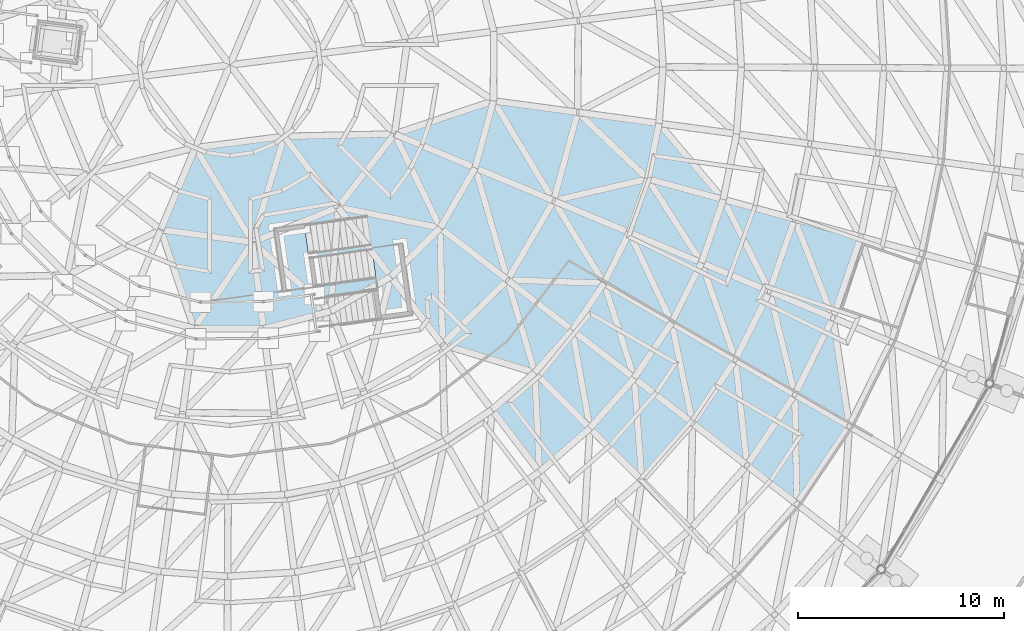
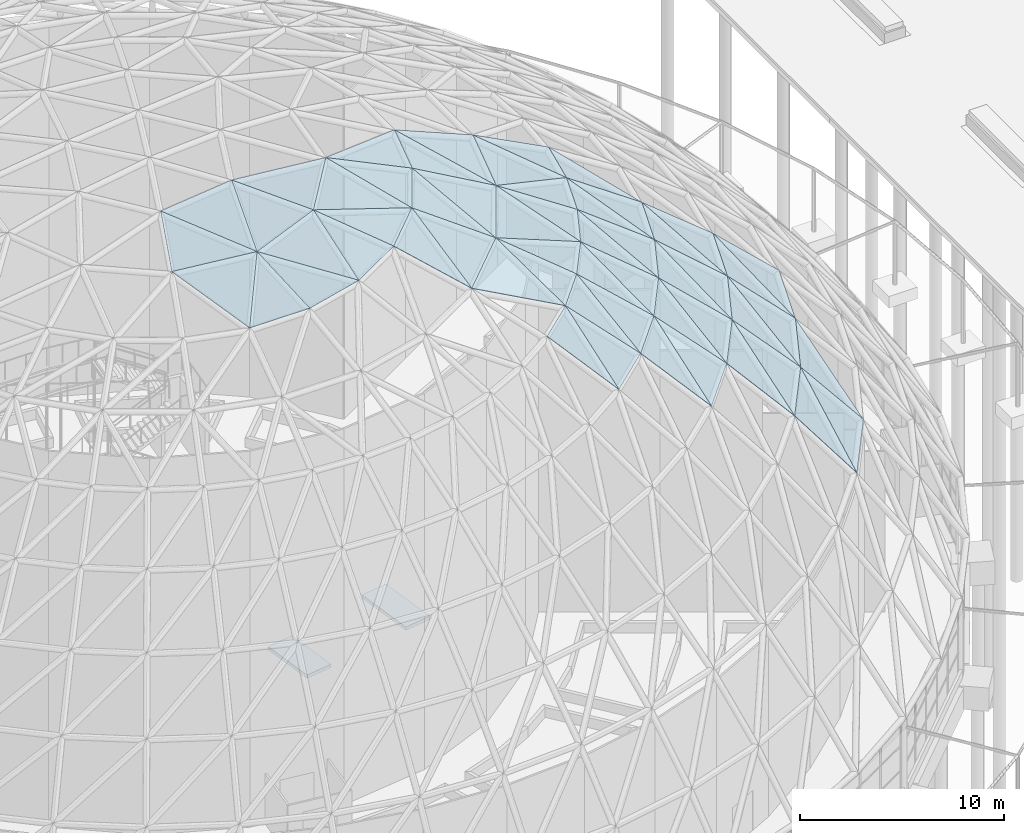
# One storey, part 148 of 226: 55 plates, 2 slabs, 1 element without a shape of its own.
"""IFC4 building model written with IfcOpenShell, lengths in metres."""

import ifcopenshell
import ifcopenshell.guid

model = None  # the IFC model being written
_history = None  # IfcOwnerHistory: only IFC2X3 demands one
_inside = {}  # id of a spatial element -> (the spatial element, [elements in it])
_under = {}  # id of a project, library or spatial element -> (it, [spatial elements below it])
_declared = {}  # id of a project -> (the project, [libraries it declares])
_typed = {}  # id of a type object -> (the type object, [elements of that type])
_made_of = {}  # id of a material, layer set ... -> (it, [elements and type objects made of it])


def new_model(schema):
    """Start an empty IFC model of exactly this schema.

    Asked for "IFC4X3", IfcOpenShell would pick the latest addendum, in which some entities
    have other attributes; the version numbers below select the first issue.
    IFC2X3 requires an IfcOwnerHistory on every rooted entity: one is made here for all.
    """
    global model, _history
    if schema == "IFC4X3":
        model = ifcopenshell.file(schema_version=(4, 3, 0, 0))
    else:
        model = ifcopenshell.file(schema=schema)
    _inside.clear()
    _under.clear()
    _declared.clear()
    _typed.clear()
    _made_of.clear()
    _history = None
    if model.schema == "IFC2X3":
        org = make("IfcOrganization", Name="unknown")
        user = make(
            "IfcPersonAndOrganization",
            ThePerson=make("IfcPerson", FamilyName="unknown"),
            TheOrganization=org,
        )
        app = make(
            "IfcApplication",
            ApplicationDeveloper=org,
            Version="unknown",
            ApplicationFullName="unknown",
            ApplicationIdentifier="unknown",
        )
        _history = make(
            "IfcOwnerHistory",
            OwningUser=user,
            OwningApplication=app,
            ChangeAction="ADDED",
            CreationDate=0,
        )
    return model


def make(cls, **values):
    """One entity of the class cls with the attributes given. An attribute that is None is left unset."""
    return model.create_entity(
        cls, **{name: value for name, value in values.items() if value is not None}
    )


def rooted(cls, **values):
    """An entity with a GlobalId (a new one), such as an element, a storey or a relation."""
    return make(cls, GlobalId=ifcopenshell.guid.new(), OwnerHistory=_history, **values)


def si_unit(unit_type, name, prefix=None):
    """IfcSIUnit, for example si_unit("LENGTHUNIT", "METRE", prefix="MILLI")."""
    return make("IfcSIUnit", UnitType=unit_type, Prefix=prefix, Name=name)


def assignment(units):
    """IfcUnitAssignment: the units of a project."""
    return None if units is None else make("IfcUnitAssignment", Units=units)


def point(xyz):
    """IfcCartesianPoint."""
    return None if xyz is None else make("IfcCartesianPoint", Coordinates=xyz)


def direction(xyz):
    """IfcDirection."""
    return None if xyz is None else make("IfcDirection", DirectionRatios=xyz)


def frame(location, z_axis=None, x_axis=None):
    """IfcAxis2Placement3D, a coordinate frame: its origin and axes. An axis left out is left unset."""
    return make(
        "IfcAxis2Placement3D",
        Location=point(location),
        Axis=direction(z_axis),
        RefDirection=direction(x_axis),
    )


def origin():
    """The frame at (0, 0, 0) with its axes left unset."""
    return frame((0.0, 0.0, 0.0))


def place(relative_to, where):
    """IfcLocalPlacement: puts the frame where relative to a parent placement (None: the world)."""
    return make(
        "IfcLocalPlacement", PlacementRelTo=relative_to, RelativePlacement=where
    )


def context(
    kind, dimensions, precision=None, world=None, true_north=None, identifier=None
):
    """IfcGeometricRepresentationContext, for example the 3D "Model" context."""
    return make(
        "IfcGeometricRepresentationContext",
        ContextIdentifier=identifier,
        ContextType=kind,
        CoordinateSpaceDimension=dimensions,
        Precision=precision,
        WorldCoordinateSystem=world,
        TrueNorth=true_north,
    )


def subcontext(parent, identifier, kind, view, scale=None):
    """IfcGeometricRepresentationSubContext, for example "Body" below "Model"."""
    return make(
        "IfcGeometricRepresentationSubContext",
        ContextIdentifier=identifier,
        ContextType=kind,
        ParentContext=parent,
        TargetScale=scale,
        TargetView=view,
    )


def project(units=None, contexts=None):
    """IfcProject with its units and contexts."""
    return rooted(
        "IfcProject",
        Name="project",
        RepresentationContexts=contexts,
        UnitsInContext=assignment(units),
    )


def spatial(cls, under=None, at=None, **own):
    """A site, building, storey or space (cls), placed at a placement, below another one or the project."""
    s = rooted(cls, ObjectPlacement=at, **own)
    if under is not None:
        _under.setdefault(under.id(), (under, []))[1].append(s)
    return s


def polyline(points):
    """IfcPolyline through the points."""
    return make("IfcPolyline", Points=[point(p) for p in points])


def outline(outer, holes=None, kind="AREA"):
    """IfcArbitraryClosedProfileDef: a profile drawn as a closed curve; with holes, ...WithVoids."""
    if holes is None:
        return make("IfcArbitraryClosedProfileDef", ProfileType=kind, OuterCurve=outer)
    return make(
        "IfcArbitraryProfileDefWithVoids",
        ProfileType=kind,
        OuterCurve=outer,
        InnerCurves=holes,
    )


def extrude(swept, where, along, depth):
    """IfcExtrudedAreaSolid: the profile swept, set in the frame where, extruded along a direction by depth."""
    return make(
        "IfcExtrudedAreaSolid",
        SweptArea=swept,
        Position=where,
        ExtrudedDirection=direction(along),
        Depth=depth,
    )


def shape(context_of_items, identifier, shape_type, items):
    """IfcShapeRepresentation: the items that make up one representation, for example the "Body"."""
    return make(
        "IfcShapeRepresentation",
        ContextOfItems=context_of_items,
        RepresentationIdentifier=identifier,
        RepresentationType=shape_type,
        Items=items,
    )


def material(Name=None, Category=None):
    """IfcMaterial."""
    return make("IfcMaterial", Name=Name, Category=Category)


def layer(
    of_material, thickness, ventilated=None, Name=None, Category=None, Priority=None
):
    """IfcMaterialLayer: one layer of a wall or slab, of a material (None: an air gap)."""
    return make(
        "IfcMaterialLayer",
        Material=of_material,
        LayerThickness=thickness,
        IsVentilated=ventilated,
        Name=Name,
        Category=Category,
        Priority=Priority,
    )


def layer_set(layers, Name=None):
    """IfcMaterialLayerSet."""
    return make("IfcMaterialLayerSet", MaterialLayers=layers, LayerSetName=Name)


def made_of(thing, what):
    """Note that an element or type object is made of a material, layer set ...; save() writes the relation."""
    if what is not None:
        _made_of.setdefault(what.id(), (what, []))[1].append(thing)
    return thing


def type_object(cls, material=None, **own):
    """A type object (cls), such as IfcWallType, which elements share."""
    return made_of(rooted(cls, **own), material)


def element(
    cls,
    number,
    at=None,
    inside=None,
    cuts=None,
    type_object=None,
    material=None,
    context=None,
    identifier="Body",
    shape_type=None,
    held_by="IfcProductDefinitionShape",
    body=None,
    shapes=None,
    **own,
):
    """One element of the class cls, such as IfcWall. Its Tag is "e" and its number.

    at: its placement. inside: the storey or other place that contains it. cuts: it is an
    opening in that element (IfcRelVoidsElement). A single representation is given by context,
    identifier, shape_type and body (its items); several are given by shapes. held_by: the class
    of the entity that holds the representations. save() writes the other relations.
    """
    e = rooted(cls, Tag="e%d" % number, ObjectPlacement=at, **own)
    if body is not None:
        shapes = [shape(context, identifier, shape_type, body)]
    if shapes is not None:
        e.Representation = make(held_by, Representations=shapes)
    if inside is not None:
        _inside.setdefault(inside.id(), (inside, []))[1].append(e)
    if cuts is not None:
        rooted(
            "IfcRelVoidsElement", RelatingBuildingElement=cuts, RelatedOpeningElement=e
        )
    if type_object is not None:
        _typed.setdefault(type_object.id(), (type_object, []))[1].append(e)
    return made_of(e, material)


def aggregate(whole, parts):
    """IfcRelAggregates: a whole, such as a stair, and the parts it consists of."""
    return rooted("IfcRelAggregates", RelatingObject=whole, RelatedObjects=parts)


def save(model, path):
    """Write the relations noted so far, then the file.

    IfcRelAggregates (storeys below a building ...), IfcRelContainedInSpatialStructure (elements
    in a storey), IfcRelDefinesByType, IfcRelAssociatesMaterial and IfcRelDeclares: one each for
    every whole, place, type object, material and project.
    """
    for whole, parts in _under.values():
        aggregate(whole, parts)
    for where, things in _inside.values():
        rooted(
            "IfcRelContainedInSpatialStructure",
            RelatedElements=things,
            RelatingStructure=where,
        )
    for kind, things in _typed.values():
        rooted("IfcRelDefinesByType", RelatedObjects=things, RelatingType=kind)
    for what, things in _made_of.values():
        rooted("IfcRelAssociatesMaterial", RelatedObjects=things, RelatingMaterial=what)
    for by, libraries in _declared.values():
        rooted("IfcRelDeclares", RelatingContext=by, RelatedDefinitions=libraries)
    model.write(path)


model = new_model("IFC4")

# Units and contexts
model_context = context("Model", 3, precision=1e-05, world=origin(), true_north=direction((0.0, 1.0)))
body_context = subcontext(model_context, "Body", "Model", "MODEL_VIEW")
ifc_project = project(units=[si_unit("LENGTHUNIT", "METRE"), si_unit("AREAUNIT", "SQUARE_METRE"), si_unit("VOLUMEUNIT", "CUBIC_METRE"), si_unit("PLANEANGLEUNIT", "RADIAN"), si_unit("MASSUNIT", "GRAM", prefix="KILO")], contexts=[model_context])

# Site, building, storey
site_placement = place(None, origin())
site = spatial("IfcSite", under=ifc_project, at=site_placement, CompositionType="ELEMENT")
building_placement = place(site_placement, origin())
building = spatial("IfcBuilding", under=site, at=building_placement, Name="Ceibo Conservatory and Research Tower", CompositionType="ELEMENT")
storey_placement = place(building_placement, origin())
storey = spatial("IfcBuildingStorey", under=building, at=storey_placement, Name="L00", CompositionType="ELEMENT", Elevation=0.0)

# Plates
ifc_material_1 = material(Name="Laminated glass", Category="glass")
ifc_layer_1 = layer(ifc_material_1, 0.035888671875)
ifc_layer_set_1 = layer_set([ifc_layer_1], Name="Laminated glass")
plate_type = type_object("IfcPlateType", Name="Gridshell roof glass 36", PredefinedType="SHEET", material=ifc_layer_set_1)
plate_1_placement = place(storey_placement, frame((183.63525390625, 86.602783203125, 11.6201171875), z_axis=(0.590588353346, -0.398417911244, 0.701761045436), x_axis=(0.559251787765, 0.828997851554, 0.0)))
element("IfcPlate", 1, at=plate_1_placement, inside=storey, type_object=plate_type, Name="Glass panel A-P03-085", PredefinedType="SHEET", context=body_context, shape_type="SweptSolid", body=[
    extrude(outline(polyline([(0.0, 0.0), (4.571537688269663, 2.220446049250313e-16), (4.370744027312472, 4.372453668072071), (0.0, 0.0)])), origin(), (0.0, 0.0, -1.0), 0.035888671875),
])
plate_2_placement = place(storey_placement, frame((183.63525390625, 86.602783203125, 11.6201171875), z_axis=(0.590700895969, -0.398374823994, 0.701690780265), x_axis=(-0.016072341527, 0.863641545915, 0.503850136457)))
element("IfcPlate", 2, at=plate_2_placement, inside=storey, type_object=plate_type, Name="Glass panel A-P03-086", PredefinedType="SHEET", context=body_context, shape_type="SweptSolid", body=[
    extrude(outline(polyline([(0.0, 0.0), (6.182374497854732, 4.440892098500626e-16), (3.2337942636454544, 2.949160394901064), (0.0, 0.0)])), origin(), (0.0, 0.0, -1.0), 0.035888671875),
])
plate_3_placement = place(storey_placement, frame((186.19189453125, 90.392578125, 11.6201171875), z_axis=(0.637627010113, -0.317770540175, 0.701750439808), x_axis=(-0.128807811568, 0.85415137095, 0.503819395402)))
element("IfcPlate", 3, at=plate_3_placement, inside=storey, type_object=plate_type, Name="Glass panel A-P03-088", PredefinedType="SHEET", context=body_context, shape_type="SweptSolid", body=[
    extrude(outline(polyline([(0.0, 0.0), (6.182751721750283, -2.220446049250313e-16), (3.235066064309141, 2.948392228532843), (0.0, 0.0)])), origin(), (0.0, 0.0, -1.0), 0.035888671875),
])
plate_4_placement = place(storey_placement, frame((181.2041015625, 88.484619140625, 14.735107421875), z_axis=(0.533905731117, -0.360071574488, 0.765044529113), x_axis=(0.559136989242, 0.829075284435, 0.0)))
element("IfcPlate", 4, at=plate_4_placement, inside=storey, type_object=plate_type, Name="Glass panel A-P04-085", PredefinedType="SHEET", context=body_context, shape_type="SweptSolid", body=[
    extrude(outline(polyline([(0.0, 0.0), (4.1703324127007715, 2.220446049250313e-16), (3.950406732332311, 4.372317890358894), (0.0, 0.0)])), origin(), (0.0, 0.0, -1.0), 0.035888671875),
])
plate_5_placement = place(storey_placement, frame((181.2041015625, 88.484619140625, 14.735107421875), z_axis=(0.533949457645, -0.360054480753, 0.765022056917), x_axis=(-0.095789968466, 0.873213397661, 0.477831187855)))
element("IfcPlate", 5, at=plate_5_placement, inside=storey, type_object=plate_type, Name="Glass panel A-P04-086", PredefinedType="SHEET", context=body_context, shape_type="SweptSolid", body=[
    extrude(outline(polyline([(0.0, 0.0), (5.892612076592934, 0.0), (3.39153618929774, 2.7679403775951843), (0.0, 0.0)])), origin(), (0.0, 0.0, -1.0), 0.035888671875),
])
plate_6_placement = place(storey_placement, frame((183.535888671875, 91.942138671875, 14.735107421875), z_axis=(0.576457175766, -0.287285678344, 0.764960171203), x_axis=(0.446042037011, 0.895012011774, 0.0)))
element("IfcPlate", 6, at=plate_6_placement, inside=storey, type_object=plate_type, Name="Glass panel A-P04-087", PredefinedType="SHEET", context=body_context, shape_type="SweptSolid", body=[
    extrude(outline(polyline([(0.0, 0.0), (4.169156685512921, 2.220446049250313e-16), (3.949928547307043, 4.371637657318493), (0.0, 0.0)])), origin(), (0.0, 0.0, -1.0), 0.035888671875),
])
plate_7_placement = place(storey_placement, frame((183.535888671875, 91.942138671875, 14.735107421875), z_axis=(0.576281704311, -0.287382364975, 0.765056059107), x_axis=(-0.208969064915, 0.853197114139, 0.47789812129)))
element("IfcPlate", 7, at=plate_7_placement, inside=storey, type_object=plate_type, Name="Glass panel A-P04-088", PredefinedType="SHEET", context=body_context, shape_type="SweptSolid", body=[
    extrude(outline(polyline([(0.0, 0.0), (5.891786769369395, -2.220446049250313e-16), (3.391016576437981, 2.7688513173445806), (0.0, 0.0)])), origin(), (0.0, 0.0, -1.0), 0.035888671875),
])
plate_8_placement = place(storey_placement, frame((185.3955078125, 95.673583984375, 14.735107421875), z_axis=(0.608957002075, -0.209710793197, 0.764978923135), x_axis=(0.325609910705, 0.945504196739, 0.0)))
element("IfcPlate", 8, at=plate_8_placement, inside=storey, type_object=plate_type, Name="Glass panel A-P04-089", PredefinedType="SHEET", context=body_context, shape_type="SweptSolid", body=[
    extrude(outline(polyline([(0.0, 0.0), (4.16960900448453, 1.1102230246251565e-16), (3.950562007717788, 4.3717888324906), (0.0, 0.0)])), origin(), (0.0, 0.0, -1.0), 0.035888671875),
])
plate_9_placement = place(storey_placement, frame((185.3955078125, 95.673583984375, 14.735107421875), z_axis=(0.608981395128, -0.209692846517, 0.764964424342), x_axis=(-0.318334928516, 0.818729426979, 0.477854579015)))
element("IfcPlate", 9, at=plate_9_placement, inside=storey, type_object=plate_type, Name="Glass panel A-P04-090", PredefinedType="SHEET", context=body_context, shape_type="SweptSolid", body=[
    extrude(outline(polyline([(0.0, 0.0), (5.8923236310230545, 2.220446049250313e-16), (3.3899891099477335, 2.768980068166276), (0.0, 0.0)])), origin(), (0.0, 0.0, -1.0), 0.035888671875),
])
plate_10_placement = place(storey_placement, frame((176.081787109375, 87.742431640625, 17.55078125), z_axis=(0.426937098968, -0.377667953538, 0.821639598848), x_axis=(0.662566823094, 0.749002807027, 0.0)))
element("IfcPlate", 10, at=plate_10_placement, inside=storey, type_object=plate_type, Name="Glass panel A-P05-083", PredefinedType="SHEET", context=body_context, shape_type="SweptSolid", body=[
    extrude(outline(polyline([(0.0, 0.0), (3.7311979449936565, 2.220446049250313e-16), (3.496059137238818, 4.370917523003129), (0.0, 0.0)])), origin(), (0.0, 0.0, -1.0), 0.035888671875),
])
plate_11_placement = place(storey_placement, frame((176.081787109375, 87.742431640625, 17.55078125), z_axis=(0.426993370049, -0.37765267275, 0.821617380962), x_axis=(-0.066737457428, 0.89297335194, 0.44513447912)))
element("IfcPlate", 11, at=plate_11_placement, inside=storey, type_object=plate_type, Name="Glass panel A-P05-084", PredefinedType="SHEET", context=body_context, shape_type="SweptSolid", body=[
    extrude(outline(polyline([(0.0, 0.0), (5.597084016161167, -2.220446049250313e-16), (3.5602645851353354, 2.5461491379345937), (0.0, 0.0)])), origin(), (0.0, 0.0, -1.0), 0.035888671875),
])
plate_12_placement = place(storey_placement, frame((178.553955078125, 90.537109375, 17.55078125), z_axis=(0.472702739811, -0.318754400995, 0.821552038292), x_axis=(0.55908726835, 0.829108814553, 0.0)))
element("IfcPlate", 12, at=plate_12_placement, inside=storey, type_object=plate_type, Name="Glass panel A-P05-085", PredefinedType="SHEET", context=body_context, shape_type="SweptSolid", body=[
    extrude(outline(polyline([(0.0, 0.0), (3.7305327404984956, 0.0), (3.4956994673408075, 4.369950060293001), (0.0, 0.0)])), origin(), (0.0, 0.0, -1.0), 0.035888671875),
])
plate_13_placement = place(storey_placement, frame((178.553955078125, 90.537109375, 17.55078125), z_axis=(0.472484247796, -0.318845757751, 0.821642269086), x_axis=(-0.182665801842, 0.876595165131, 0.445212445138)))
element("IfcPlate", 13, at=plate_13_placement, inside=storey, type_object=plate_type, Name="Glass panel A-P05-086", PredefinedType="SHEET", context=body_context, shape_type="SweptSolid", body=[
    extrude(outline(polyline([(0.0, 0.0), (5.596103849592286, -2.220446049250313e-16), (3.560502186087077, 2.5461803617727696), (0.0, 0.0)])), origin(), (0.0, 0.0, -1.0), 0.035888671875),
])
plate_14_placement = place(storey_placement, frame((180.6396484375, 93.630126953125, 17.55078125), z_axis=(0.510196421829, -0.254426703486, 0.821563548185), x_axis=(0.446271074095, 0.894897831278, 0.0)))
element("IfcPlate", 14, at=plate_14_placement, inside=storey, type_object=plate_type, Name="Glass panel A-P05-087", PredefinedType="SHEET", context=body_context, shape_type="SweptSolid", body=[
    extrude(outline(polyline([(0.0, 0.0), (3.731003775851083, 0.0), (3.4958935803363858, 4.370077191346767), (0.0, 0.0)])), origin(), (0.0, 0.0, -1.0), 0.035888671875),
])
plate_15_placement = place(storey_placement, frame((180.6396484375, 93.630126953125, 17.55078125), z_axis=(0.510226759322, -0.254409059279, 0.821550171705), x_axis=(-0.295342428095, 0.845324996927, 0.445194900843)))
element("IfcPlate", 15, at=plate_15_placement, inside=storey, type_object=plate_type, Name="Glass panel A-P05-088", PredefinedType="SHEET", context=body_context, shape_type="SweptSolid", body=[
    extrude(outline(polyline([(0.0, 0.0), (5.596324381535295, 2.220446049250313e-16), (3.5592323852402186, 2.5462668798643193), (0.0, 0.0)])), origin(), (0.0, 0.0, -1.0), 0.035888671875),
])
plate_16_placement = place(storey_placement, frame((182.3046875, 96.968994140625, 17.55078125), z_axis=(0.539062040255, -0.185617252965, 0.821558489797), x_axis=(0.32557334048, 0.945516789893, 0.0)))
element("IfcPlate", 16, at=plate_16_placement, inside=storey, type_object=plate_type, Name="Glass panel A-P05-089", PredefinedType="SHEET", context=body_context, shape_type="SweptSolid", body=[
    extrude(outline(polyline([(0.0, 0.0), (3.7321479972352876, 0.0), (3.4962116485441794, 4.370021317980223), (0.0, 0.0)])), origin(), (0.0, 0.0, -1.0), 0.035888671875),
])
plate_17_placement = place(storey_placement, frame((182.3046875, 96.968994140625, 17.55078125), z_axis=(0.53905830319, -0.185620139564, 0.821560289662), x_axis=(-0.403172686909, 0.799540035238, 0.445182565452)))
element("IfcPlate", 17, at=plate_17_placement, inside=storey, type_object=plate_type, Name="Glass panel A-P05-090", PredefinedType="SHEET", context=body_context, shape_type="SweptSolid", body=[
    extrude(outline(polyline([(0.0, 0.0), (5.596479447922382, 0.0), (3.5596637295951297, 2.5459076170531194), (0.0, 0.0)])), origin(), (0.0, 0.0, -1.0), 0.035888671875),
])
plate_18_placement = place(storey_placement, frame((171.087890625, 88.1591796875, 20.042236328125), z_axis=(0.322152200179, -0.370543056866, 0.871157737111), x_axis=(0.754665172974, 0.656110110194, 0.0)))
element("IfcPlate", 18, at=plate_18_placement, inside=storey, type_object=plate_type, Name="Glass panel A-P06-081", PredefinedType="SHEET", context=body_context, shape_type="SweptSolid", body=[
    extrude(outline(polyline([(0.0, 0.0), (3.2599955135443306, 2.220446049250313e-16), (3.010650730798408, 4.370137933662338), (0.0, 0.0)])), origin(), (0.0, 0.0, -1.0), 0.035888671875),
])
plate_19_placement = place(storey_placement, frame((171.087890625, 88.1591796875, 20.042236328125), z_axis=(0.322007233127, -0.370568701303, 0.871200424374), x_axis=(-0.042554852187, 0.913618172511, 0.404340103641)))
element("IfcPlate", 19, at=plate_19_placement, inside=storey, type_object=plate_type, Name="Glass panel A-P06-082", PredefinedType="SHEET", context=body_context, shape_type="SweptSolid", body=[
    extrude(outline(polyline([(0.0, 0.0), (5.306799730731464, 0.0), (3.7404738134429705, 2.274705345449151), (0.0, 0.0)])), origin(), (0.0, 0.0, -1.0), 0.035888671875),
])
plate_20_placement = place(storey_placement, frame((173.548095703125, 90.298095703125, 20.042236328125), z_axis=(0.367795186242, -0.325295062762, 0.871154305), x_axis=(0.662502793628, 0.749059442524, 0.0)))
element("IfcPlate", 20, at=plate_20_placement, inside=storey, type_object=plate_type, Name="Glass panel A-P06-083", PredefinedType="SHEET", context=body_context, shape_type="SweptSolid", body=[
    extrude(outline(polyline([(0.0, 0.0), (3.2605994582606237, 4.440892098500626e-16), (3.0116656615227546, 4.370083736621913), (0.0, 0.0)])), origin(), (0.0, 0.0, -1.0), 0.035888671875),
])
plate_21_placement = place(storey_placement, frame((173.548095703125, 90.298095703125, 20.042236328125), z_axis=(0.367792034064, -0.325296058454, 0.871155264022), x_axis=(-0.161370247854, 0.90027854069, 0.404299631809)))
element("IfcPlate", 21, at=plate_21_placement, inside=storey, type_object=plate_type, Name="Glass panel A-P06-084", PredefinedType="SHEET", context=body_context, shape_type="SweptSolid", body=[
    extrude(outline(polyline([(0.0, 0.0), (5.307330960273972, 2.220446049250313e-16), (3.740252972516818, 2.273936252733628), (0.0, 0.0)])), origin(), (0.0, 0.0, -1.0), 0.035888671875),
])
plate_22_placement = place(storey_placement, frame((175.708251953125, 92.740478515625, 20.042236328125), z_axis=(0.406961785308, -0.274629343555, 0.871183579366), x_axis=(0.559375094808, 0.828914653814, 0.0)))
element("IfcPlate", 22, at=plate_22_placement, inside=storey, type_object=plate_type, Name="Glass panel A-P06-085", PredefinedType="SHEET", context=body_context, shape_type="SweptSolid", body=[
    extrude(outline(polyline([(0.0, 0.0), (3.259863274301928, 0.0), (3.0104385485394936, 4.370546084690857), (0.0, 0.0)])), origin(), (0.0, 0.0, -1.0), 0.035888671875),
])
plate_23_placement = place(storey_placement, frame((175.708251953125, 92.740478515625, 20.042236328125), z_axis=(0.407058364757, -0.274584262684, 0.871152667658), x_axis=(-0.277400353092, 0.871533945163, 0.40432366556)))
element("IfcPlate", 23, at=plate_23_placement, inside=storey, type_object=plate_type, Name="Glass panel A-P06-086", PredefinedType="SHEET", context=body_context, shape_type="SweptSolid", body=[
    extrude(outline(polyline([(0.0, 0.0), (5.307015482636089, -3.3306690738754696e-16), (3.740020681835353, 2.274169122930282), (0.0, 0.0)])), origin(), (0.0, 0.0, -1.0), 0.035888671875),
])
plate_24_placement = place(storey_placement, frame((177.53173828125, 95.442626953125, 20.042236328125), z_axis=(0.439373150127, -0.219080061471, 0.871180326691), x_axis=(0.44622503886, 0.894920786827, 0.0)))
element("IfcPlate", 24, at=plate_24_placement, inside=storey, type_object=plate_type, Name="Glass panel A-P06-087", PredefinedType="SHEET", context=body_context, shape_type="SweptSolid", body=[
    extrude(outline(polyline([(0.0, 0.0), (3.2608616690781957, 0.0), (3.011763968177683, 4.3704947051715415), (0.0, 0.0)])), origin(), (0.0, 0.0, -1.0), 0.035888671875),
])
plate_25_placement = place(storey_placement, frame((177.53173828125, 95.442626953125, 20.042236328125), z_axis=(0.439374201698, -0.219079391027, 0.871179964938), x_axis=(-0.388768541672, 0.827904044198, 0.404269606337)))
element("IfcPlate", 25, at=plate_25_placement, inside=storey, type_object=plate_type, Name="Glass panel A-P06-088", PredefinedType="SHEET", context=body_context, shape_type="SweptSolid", body=[
    extrude(outline(polyline([(0.0, 0.0), (5.307725140580083, -3.3306690738754696e-16), (3.7408477222334784, 2.2737511058356494), (0.0, 0.0)])), origin(), (0.0, 0.0, -1.0), 0.035888671875),
])
plate_26_placement = place(storey_placement, frame((178.98681640625, 98.36083984375, 20.042236328125), z_axis=(0.46418912574, -0.159839575411, 0.871194447685), x_axis=(0.325579884733, 0.94551453646, 0.0)))
element("IfcPlate", 26, at=plate_26_placement, inside=storey, type_object=plate_type, Name="Glass panel A-P06-089", PredefinedType="SHEET", context=body_context, shape_type="SweptSolid", body=[
    extrude(outline(polyline([(0.0, 0.0), (3.260408542651373, 0.0), (3.011258690738724, 4.370717776040065), (0.0, 0.0)])), origin(), (0.0, 0.0, -1.0), 0.035888671875),
])
plate_27_placement = place(storey_placement, frame((178.98681640625, 98.36083984375, 20.042236328125), z_axis=(0.464240002256, -0.159796843866, 0.871175176986), x_axis=(-0.493605795176, 0.770008481152, 0.404277451663)))
element("IfcPlate", 27, at=plate_27_placement, inside=storey, type_object=plate_type, Name="Glass panel A-P06-090", PredefinedType="SHEET", context=body_context, shape_type="SweptSolid", body=[
    extrude(outline(polyline([(0.0, 0.0), (5.307622139936312, -2.220446049250313e-16), (3.740847783150219, 2.2736163915283716), (0.0, 0.0)])), origin(), (0.0, 0.0, -1.0), 0.035888671875),
])
plate_28_placement = place(storey_placement, frame((180.04833984375, 101.443603515625, 20.042236328125), z_axis=(0.48109278401, -0.097859681902, 0.871190688559), x_axis=(-0.58995312714, 0.698927704777, 0.404296143036)))
element("IfcPlate", 28, at=plate_28_placement, inside=storey, type_object=plate_type, Name="Glass panel A-P06-092", PredefinedType="SHEET", context=body_context, shape_type="SweptSolid", body=[
    extrude(outline(polyline([(0.0, 0.0), (5.307376758565894, -6.661338147750939e-16), (3.741199134528241, 2.273472797793244), (0.0, 0.0)])), origin(), (0.0, 0.0, -1.0), 0.035888671875),
])
plate_29_placement = place(storey_placement, frame((166.358154296875, 94.378173828125, 23.970458984375), z_axis=(0.278177914319, -0.280574696783, 0.918637516929), x_axis=(0.894701250833, -0.272270859832, -0.354087913722)))
element("IfcPlate", 29, at=plate_29_placement, inside=storey, type_object=plate_type, Name="Glass panel A-P07-063", PredefinedType="SHEET", context=body_context, shape_type="SweptSolid", body=[
    extrude(outline(polyline([(0.0, 0.0), (5.033977817517217, 2.7755575615628914e-16), (1.9819537514928032, 4.0035523826701045), (0.0, 0.0)])), origin(), (0.0, 0.0, -1.0), 0.035888671875),
])
plate_30_placement = place(storey_placement, frame((169.530517578125, 97.5234375, 23.970458984375), z_axis=(0.305578990472, -0.270271327109, 0.913003225802), x_axis=(0.264498828371, -0.897036088813, -0.354071497239)))
element("IfcPlate", 30, at=plate_30_placement, inside=storey, type_object=plate_type, Name="Glass panel A-P07-064", PredefinedType="SHEET", context=body_context, shape_type="SweptSolid", body=[
    extrude(outline(polyline([(0.0, 0.0), (5.034211217298663, 5.551115123125783e-17), (3.662523580409443, 2.396871404146357), (0.0, 0.0)])), origin(), (0.0, 0.0, -1.0), 0.035888671875),
])
plate_31_placement = place(storey_placement, frame((169.530517578125, 97.5234375, 23.970458984375), z_axis=(0.338199783118, -0.228135191726, 0.913003417844), x_axis=(0.722196723253, -0.559105649822, -0.407225693271)))
element("IfcPlate", 31, at=plate_31_placement, inside=storey, type_object=plate_type, Name="Glass panel A-P07-065", PredefinedType="SHEET", context=body_context, shape_type="SweptSolid", body=[
    extrude(outline(polyline([(0.0, 0.0), (4.377107664322382, 1.6653345369377348e-16), (4.212391767660467, 2.7568435898347388), (0.0, 0.0)])), origin(), (0.0, 0.0, -1.0), 0.035888671875),
])
plate_32_placement = place(storey_placement, frame((169.530517578125, 97.5234375, 23.970458984375), z_axis=(0.341309604163, -0.199028889129, 0.918637717165), x_axis=(0.93469653795, -0.031327900981, -0.354063475333)))
element("IfcPlate", 32, at=plate_32_placement, inside=storey, type_object=plate_type, Name="Glass panel A-P07-066", PredefinedType="SHEET", context=body_context, shape_type="SweptSolid", body=[
    extrude(outline(polyline([(0.0, 0.0), (5.034325275850436, -1.1102230246251565e-16), (1.9824045867603157, 4.003083493377818), (0.0, 0.0)])), origin(), (0.0, 0.0, -1.0), 0.035888671875),
])
plate_33_placement = place(storey_placement, frame((171.78076171875, 101.38232421875, 23.970458984375), z_axis=(0.365052889911, -0.182021530861, 0.913019468506), x_axis=(0.487769506188, -0.7979301895, -0.354102134302)))
element("IfcPlate", 33, at=plate_33_placement, inside=storey, type_object=plate_type, Name="Glass panel A-P07-067", PredefinedType="SHEET", context=body_context, shape_type="SweptSolid", body=[
    extrude(outline(polyline([(0.0, 0.0), (5.033775655256227, -1.1102230246251565e-16), (3.662956153207764, 2.397061290041822), (0.0, 0.0)])), origin(), (0.0, 0.0, -1.0), 0.035888671875),
])
plate_34_placement = place(storey_placement, frame((171.78076171875, 101.38232421875, 23.970458984375), z_axis=(0.385698859231, -0.132762062917, 0.913022795246), x_axis=(0.842361622756, -0.353028937503, -0.407182349559)))
element("IfcPlate", 34, at=plate_34_placement, inside=storey, type_object=plate_type, Name="Glass panel A-P07-068", PredefinedType="SHEET", context=body_context, shape_type="SweptSolid", body=[
    extrude(outline(polyline([(0.0, 0.0), (4.377573598300728, 4.163336342344337e-17), (4.212886507408967, 2.756264055384131), (0.0, 0.0)])), origin(), (0.0, 0.0, -1.0), 0.035888671875),
])
plate_35_placement = place(storey_placement, frame((171.78076171875, 101.38232421875, 23.970458984375), z_axis=(0.381182218069, -0.103921491762, 0.918640539155), x_axis=(0.910964892399, 0.211629001354, -0.354056677104)))
element("IfcPlate", 35, at=plate_35_placement, inside=storey, type_object=plate_type, Name="Glass panel A-P07-069", PredefinedType="SHEET", context=body_context, shape_type="SweptSolid", body=[
    extrude(outline(polyline([(0.0, 0.0), (5.03442193973758, 0.0), (1.9825616252480445, 4.003347877980378), (0.0, 0.0)])), origin(), (0.0, 0.0, -1.0), 0.035888671875),
])
plate_36_placement = place(storey_placement, frame((172.955810546875, 105.6923828125, 23.970458984375), z_axis=(0.399746187862, -0.081312869546, 0.91301215903), x_axis=(0.677625578929, -0.644549380472, -0.35408991925)))
element("IfcPlate", 36, at=plate_36_placement, inside=storey, type_object=plate_type, Name="Glass panel A-P07-070", PredefinedType="SHEET", context=body_context, shape_type="SweptSolid", body=[
    extrude(outline(polyline([(0.0, 0.0), (5.0339493055935876, -2.7755575615628914e-16), (3.663128106836253, 2.3963389062024545), (0.0, 0.0)])), origin(), (0.0, 0.0, -1.0), 0.035888671875),
])
plate_37_placement = place(storey_placement, frame((166.358154296875, 94.378173828125, 23.970458984375), z_axis=(0.227227756778, -0.229185552401, 0.946489053883), x_axis=(0.710133399151, 0.704067152629, 0.0)))
element("IfcPlate", 37, at=plate_37_placement, inside=storey, type_object=plate_type, Name="Glass panel A-P08-041", PredefinedType="SHEET", context=body_context, shape_type="SweptSolid", body=[
    extrude(outline(polyline([(0.0, 0.0), (4.467277957978424, 0.0), (3.9262131880664084, 4.343661189431718), (0.0, 0.0)])), origin(), (0.0, 0.0, -1.0), 0.035888671875),
])
plate_38_placement = place(storey_placement, frame((166.358154296875, 94.378173828125, 23.970458984375), z_axis=(0.227272957923, -0.229182227726, 0.946479006155), x_axis=(-0.018179838866, 0.970745019789, 0.239423474233)))
element("IfcPlate", 38, at=plate_38_placement, inside=storey, type_object=plate_type, Name="Glass panel A-P08-042", PredefinedType="SHEET", context=body_context, shape_type="SweptSolid", body=[
    extrude(outline(polyline([(0.0, 0.0), (5.855129590941772, 0.0), (3.58547676276656, 2.5104601330864784), (0.0, 0.0)])), origin(), (0.0, 0.0, -1.0), 0.035888671875),
])
plate_39_placement = place(storey_placement, frame((169.530517578125, 97.5234375, 23.970458984375), z_axis=(0.278796185961, -0.162575252815, 0.946489288828), x_axis=(0.503741890232, 0.863854216882, 0.0)))
element("IfcPlate", 39, at=plate_39_placement, inside=storey, type_object=plate_type, Name="Glass panel A-P08-043", PredefinedType="SHEET", context=body_context, shape_type="SweptSolid", body=[
    extrude(outline(polyline([(0.0, 0.0), (4.467057801345566, 2.220446049250313e-16), (3.9261762398217486, 4.343670462943763), (0.0, 0.0)])), origin(), (0.0, 0.0, -1.0), 0.035888671875),
])
plate_40_placement = place(storey_placement, frame((169.530517578125, 97.5234375, 23.970458984375), z_axis=(0.27880077906, -0.162573652914, 0.946488210689), x_axis=(-0.268778897965, 0.93297049984, 0.239424206037)))
element("IfcPlate", 40, at=plate_40_placement, inside=storey, type_object=plate_type, Name="Glass panel A-P08-044", PredefinedType="SHEET", context=body_context, shape_type="SweptSolid", body=[
    extrude(outline(polyline([(0.0, 0.0), (5.8551116946469035, -3.3306690738754696e-16), (3.5853275507998097, 2.511089398506384), (0.0, 0.0)])), origin(), (0.0, 0.0, -1.0), 0.035888671875),
])
plate_41_placement = place(storey_placement, frame((171.78076171875, 101.38232421875, 23.970458984375), z_axis=(0.311413154444, -0.084900391545, 0.94647438991), x_axis=(0.263029544619, 0.964787779078, 0.0)))
element("IfcPlate", 41, at=plate_41_placement, inside=storey, type_object=plate_type, Name="Glass panel A-P08-045", PredefinedType="SHEET", context=body_context, shape_type="SweptSolid", body=[
    extrude(outline(polyline([(0.0, 0.0), (4.46736441652527, 0.0), (3.926429517737648, 4.343082509464306), (0.0, 0.0)])), origin(), (0.0, 0.0, -1.0), 0.035888671875),
])
plate_42_placement = place(storey_placement, frame((171.78076171875, 101.38232421875, 23.970458984375), z_axis=(0.311356713111, -0.084938744478, 0.946489517579), x_axis=(-0.500970611111, 0.831684604512, 0.239435096471)))
element("IfcPlate", 42, at=plate_42_placement, inside=storey, type_object=plate_type, Name="Glass panel A-P08-046", PredefinedType="SHEET", context=body_context, shape_type="SweptSolid", body=[
    extrude(outline(polyline([(0.0, 0.0), (5.854845381543075, -7.216449660063518e-16), (3.58517460273353, 2.5112843371790854), (0.0, 0.0)])), origin(), (0.0, 0.0, -1.0), 0.035888671875),
])
plate_43_placement = place(storey_placement, frame((152.633056640625, 99.970458984375, 26.382568359375), z_axis=(-0.029227129669, -0.214523847824, 0.976281359858), x_axis=(0.312350316208, -0.929748641081, -0.194948055576)))
element("IfcPlate", 43, at=plate_43_placement, inside=storey, type_object=plate_type, Name="Glass panel A-P09-027", PredefinedType="SHEET", context=body_context, shape_type="SweptSolid", body=[
    extrude(outline(polyline([(0.0, 0.0), (5.182169697794277, -4.163336342344337e-16), (1.9604817498378337, 4.058082122644022), (0.0, 0.0)])), origin(), (0.0, 0.0, -1.0), 0.035888671875),
])
plate_44_placement = place(storey_placement, frame((157.0986328125, 99.362060546875, 26.382568359375), z_axis=(-0.001024078567, -0.232700869188, 0.972547817201), x_axis=(-0.549446623896, -0.812461035575, -0.194975570679)))
element("IfcPlate", 44, at=plate_44_placement, inside=storey, type_object=plate_type, Name="Glass panel A-P09-028", PredefinedType="SHEET", context=body_context, shape_type="SweptSolid", body=[
    extrude(outline(polyline([(0.0, 0.0), (5.1814383860208935, 1.6653345369377348e-16), (3.3341924068572713, 2.8354161601428967), (0.0, 0.0)])), origin(), (0.0, 0.0, -1.0), 0.035888671875),
])
plate_45_placement = place(storey_placement, frame((157.0986328125, 99.362060546875, 26.382568359375), z_axis=(0.059226529113, -0.225040671261, 0.972547641264), x_axis=(0.122717221758, -0.965226729685, -0.230819938016)))
element("IfcPlate", 45, at=plate_45_placement, inside=storey, type_object=plate_type, Name="Glass panel A-P09-029", PredefinedType="SHEET", context=body_context, shape_type="SweptSolid", body=[
    extrude(outline(polyline([(0.0, 0.0), (4.376805205528819, -2.42861286636753e-17), (3.946929741051306, 3.3577530192227703), (0.0, 0.0)])), origin(), (0.0, 0.0, -1.0), 0.035888671875),
])
plate_46_placement = place(storey_placement, frame((157.0986328125, 99.362060546875, 26.382568359375), z_axis=(0.081980678663, -0.200378975737, 0.976282456264), x_axis=(0.735394994961, -0.648988792081, -0.194955762006)))
element("IfcPlate", 46, at=plate_46_placement, inside=storey, type_object=plate_type, Name="Glass panel A-P09-030", PredefinedType="SHEET", context=body_context, shape_type="SweptSolid", body=[
    extrude(outline(polyline([(0.0, 0.0), (5.1819648511828955, -5.551115123125783e-17), (1.9604909252094407, 4.059439169561636), (0.0, 0.0)])), origin(), (0.0, 0.0, -1.0), 0.035888671875),
])
plate_47_placement = place(storey_placement, frame((161.27099609375, 101.069091796875, 26.382568359375), z_axis=(0.115468333273, -0.202023436168, 0.972550047684), x_axis=(-0.069769697661, -0.978330392526, -0.194940586713)))
element("IfcPlate", 47, at=plate_47_placement, inside=storey, type_object=plate_type, Name="Glass panel A-P09-031", PredefinedType="SHEET", context=body_context, shape_type="SweptSolid", body=[
    extrude(outline(polyline([(0.0, 0.0), (5.182368245030267, 8.326672684688674e-17), (3.333772341437619, 2.836161659042764), (0.0, 0.0)])), origin(), (0.0, 0.0, -1.0), 0.035888671875),
])
plate_48_placement = place(storey_placement, frame((161.27099609375, 101.069091796875, 26.382568359375), z_axis=(0.163855724092, -0.165232239754, 0.97254799811), x_axis=(0.588909166563, -0.774539940036, -0.230811340333)))
element("IfcPlate", 48, at=plate_48_placement, inside=storey, type_object=plate_type, Name="Glass panel A-P09-032", PredefinedType="SHEET", context=body_context, shape_type="SweptSolid", body=[
    extrude(outline(polyline([(0.0, 0.0), (4.376968240775648, 4.163336342344337e-16), (3.9463892788109454, 3.35683419277356), (0.0, 0.0)])), origin(), (0.0, 0.0, -1.0), 0.035888671875),
])
plate_49_placement = place(storey_placement, frame((161.27099609375, 101.069091796875, 26.382568359375), z_axis=(0.171224573506, -0.132529555833, 0.976277656335), x_axis=(0.961349820756, -0.194381060272, -0.194993655129)))
element("IfcPlate", 49, at=plate_49_placement, inside=storey, type_object=plate_type, Name="Glass panel A-P09-033", PredefinedType="SHEET", context=body_context, shape_type="SweptSolid", body=[
    extrude(outline(polyline([(0.0, 0.0), (5.1809578397906, 1.3877787807814457e-16), (1.9591594010891797, 4.058707914424515), (0.0, 0.0)])), origin(), (0.0, 0.0, -1.0), 0.035888671875),
])
plate_50_placement = place(storey_placement, frame((164.029541015625, 104.633056640625, 26.382568359375), z_axis=(0.201022068481, -0.117219514593, 0.972548051966), x_axis=(0.428824616738, -0.882100999692, -0.194954544503)))
element("IfcPlate", 50, at=plate_50_placement, inside=storey, type_object=plate_type, Name="Glass panel A-P09-034", PredefinedType="SHEET", context=body_context, shape_type="SweptSolid", body=[
    extrude(outline(polyline([(0.0, 0.0), (5.18199721287373, -2.7755575615628914e-17), (3.3338496176575814, 2.8358139031409664), (0.0, 0.0)])), origin(), (0.0, 0.0, -1.0), 0.035888671875),
])
plate_51_placement = place(storey_placement, frame((164.029541015625, 104.633056640625, 26.382568359375), z_axis=(0.224496978591, -0.061243232273, 0.972548391138), x_axis=(0.897286716829, -0.376295921406, -0.230820119)))
element("IfcPlate", 51, at=plate_51_placement, inside=storey, type_object=plate_type, Name="Glass panel A-P09-035", PredefinedType="SHEET", context=body_context, shape_type="SweptSolid", body=[
    extrude(outline(polyline([(0.0, 0.0), (4.376801773715963, 1.942890293094024e-16), (3.947325451691779, 3.357603990223312), (0.0, 0.0)])), origin(), (0.0, 0.0, -1.0), 0.035888671875),
])
plate_52_placement = place(storey_placement, frame((154.308837890625, 103.96826171875, 26.9921875), z_axis=(-0.019447945154, -0.142745732271, 0.98956830656), x_axis=(-0.382818972003, -0.913266414124, -0.139262670905)))
element("IfcPlate", 52, at=plate_52_placement, inside=storey, type_object=plate_type, Name="Glass panel A-P10-014", PredefinedType="SHEET", context=body_context, shape_type="SweptSolid", body=[
    extrude(outline(polyline([(0.0, 0.0), (4.377477012783066, 3.157196726277789e-16), (3.2235995926394914, 4.356614064253687), (0.0, 0.0)])), origin(), (0.0, 0.0, -1.0), 0.035888671875),
])
plate_53_placement = place(storey_placement, frame((154.308837890625, 103.96826171875, 26.9921875), z_axis=(0.015500980668, -0.121955235418, 0.992414550555), x_axis=(0.514763662489, -0.849920890888, -0.112484892381)))
element("IfcPlate", 53, at=plate_53_placement, inside=storey, type_object=plate_type, Name="Glass panel A-P10-015", PredefinedType="SHEET", context=body_context, shape_type="SweptSolid", body=[
    extrude(outline(polyline([(0.0, 0.0), (5.419564598611084, 4.0939474033052647e-16), (1.7640759503141719, 4.000359410920752), (0.0, 0.0)])), origin(), (0.0, 0.0, -1.0), 0.035888671875),
])
plate_54_placement = place(storey_placement, frame((158.64599609375, 104.51953125, 26.9921875), z_axis=(0.054551008795, -0.133334774072, 0.989568605738), x_axis=(-0.285544493141, -0.951739889178, -0.11249678122)))
element("IfcPlate", 54, at=plate_54_placement, inside=storey, type_object=plate_type, Name="Glass panel A-P10-016", PredefinedType="SHEET", context=body_context, shape_type="SweptSolid", body=[
    extrude(outline(polyline([(0.0, 0.0), (5.418991850369385, -1.3877787807814457e-16), (2.602946759326176, 3.5202927554979393), (0.0, 0.0)])), origin(), (0.0, 0.0, -1.0), 0.035888671875),
])
plate_55_placement = place(storey_placement, frame((158.64599609375, 104.51953125, 26.9921875), z_axis=(0.11391575899, -0.088171952379, 0.989570061525), x_axis=(0.599574637257, -0.788112755613, -0.139242733373)))
element("IfcPlate", 55, at=plate_55_placement, inside=storey, type_object=plate_type, Name="Glass panel A-P10-017", PredefinedType="SHEET", context=body_context, shape_type="SweptSolid", body=[
    extrude(outline(polyline([(0.0, 0.0), (4.378103803737174, -3.157196726277789e-16), (3.2232512207107695, 4.3563437657014115), (0.0, 0.0)])), origin(), (0.0, 0.0, -1.0), 0.035888671875),
])

# Stair, slabs
ifc_material_2 = material(Name="Concrete C35/45", Category="concrete")
stair_type = type_object("IfcStairType", Name="Walkway stair 1500", PredefinedType="TWO_STRAIGHT_RUN_STAIR", material=ifc_material_2)
stair_placement = place(storey_placement, origin())
stair = element("IfcStair", 56, at=stair_placement, inside=storey, type_object=stair_type, Name="Walkway stair 2", PredefinedType="TWO_STRAIGHT_RUN_STAIR")
ifc_layer_2 = layer(ifc_material_2, 0.199951171875)
ifc_layer_set_2 = layer_set([ifc_layer_2], Name="Concrete C35/45")
slab_type = type_object("IfcSlabType", Name="Walkway stair landing 200", PredefinedType="LANDING", material=ifc_layer_set_2)
slab_1_placement = place(storey_placement, frame((159.60986328125, 100.27734375, 1.800048828125), z_axis=(0.0, 0.0, 1.0), x_axis=(-0.990268068742, -0.13917310096, 0.0)))
slab_1 = element("IfcSlab", 57, at=slab_1_placement, type_object=slab_type, Name="WK-ST2 landing 1", PredefinedType="LANDING", context=body_context, shape_type="SweptSolid", body=[
    extrude(outline(polyline([(0.0, 0.0), (1.5, 0.0), (1.5, 3.10009765625), (0.0, 3.10009765625), (0.0, 0.0)])), origin(), (0.0, 0.0, 1.0), 0.199951171875),
])
slab_2_placement = place(storey_placement, frame((164.367919921875, 99.330322265625, 3.800048828125), z_axis=(0.0, 0.0, 1.0), x_axis=(-0.990268068742, -0.13917310096, 0.0)))
slab_2 = element("IfcSlab", 58, at=slab_2_placement, type_object=slab_type, Name="WK-ST2 landing 2", PredefinedType="LANDING", context=body_context, shape_type="SweptSolid", body=[
    extrude(outline(polyline([(0.0, 0.0), (1.5, 0.0), (1.5, 3.500244140625), (0.0, 3.500244140625), (0.0, 0.0)])), origin(), (0.0, 0.0, 1.0), 0.199951171875),
])
aggregate(stair, [slab_1, slab_2])

save(model, "model.ifc")
